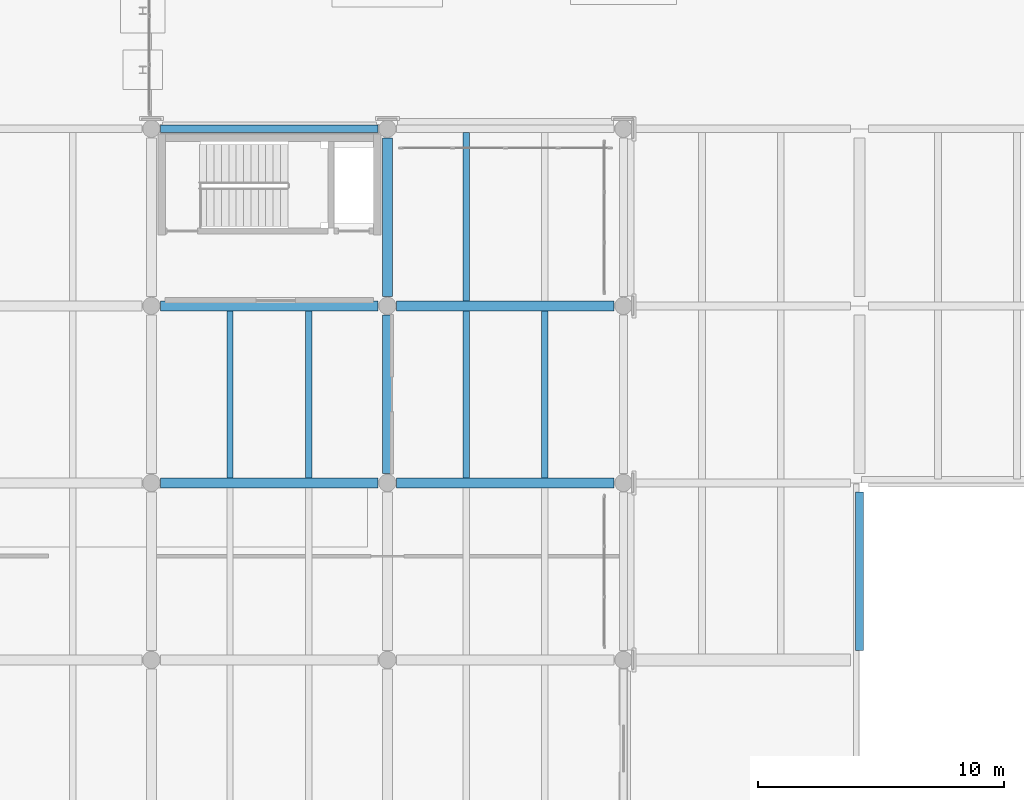
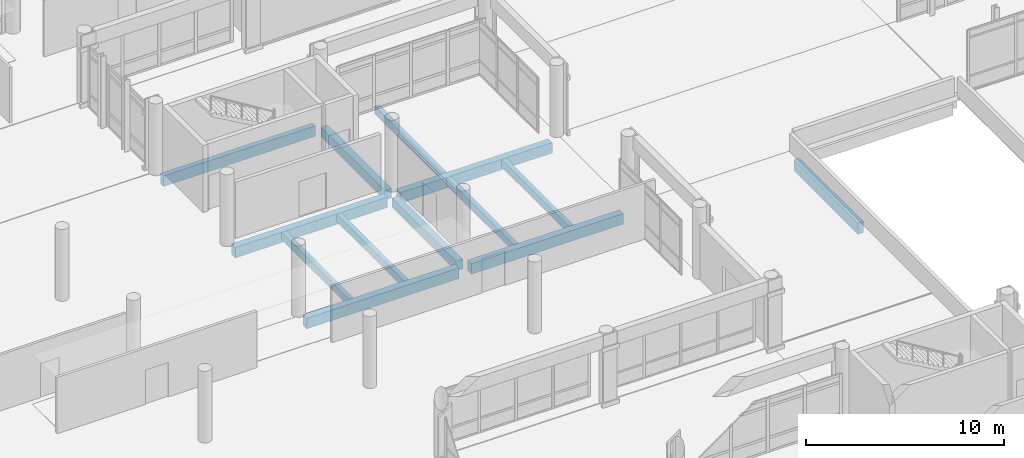
# One storey, part 62 of 196: 13 beams.
"""IFC4 building model written with IfcOpenShell, lengths in metres."""

from ifc_helpers import new_model, si_unit, direction, frame, origin, origin_2d, place, context, subcontext, project, spatial, rectangle, extrude, material, material_profile, profile_set, type_object, element, save


model = new_model("IFC4")

# Units and contexts
model_context = context("Model", 3, precision=1e-05, world=origin(), true_north=direction((0.0, 1.0)))
body_context = subcontext(model_context, "Body", "Model", "MODEL_VIEW")
ifc_project = project(units=[si_unit("LENGTHUNIT", "METRE"), si_unit("AREAUNIT", "SQUARE_METRE"), si_unit("VOLUMEUNIT", "CUBIC_METRE"), si_unit("PLANEANGLEUNIT", "RADIAN"), si_unit("MASSUNIT", "GRAM", prefix="KILO")], contexts=[model_context])

# Site, building, storey
site_placement = place(None, origin())
site = spatial("IfcSite", under=ifc_project, at=site_placement, CompositionType="ELEMENT")
building_placement = place(site_placement, origin())
building = spatial("IfcBuilding", under=site, at=building_placement, Name="Asteropetra Specialist Clinic", CompositionType="ELEMENT")
storey_placement = place(building_placement, origin())
storey = spatial("IfcBuildingStorey", under=building, at=storey_placement, Name="L00", CompositionType="ELEMENT", Elevation=0.0)

# Beams
ifc_material_1 = material(Name="Concrete C35/45", Category="concrete")
ifc_material_profile_1 = material_profile(ifc_material_1, rectangle(XDim=0.39990234375, YDim=0.60009765625, at=origin_2d()), Name="RCB 400x600")
ifc_profile_set_1 = profile_set([ifc_material_profile_1], Name="Concrete C35/45")
beam_type_1 = type_object("IfcBeamType", Name="BM-RC400x600", PredefinedType="BEAM", material=ifc_profile_set_1)
for number, where, z_axis, x_axis, name in (
    (1, (38.39990234375, 48.375, -0.60009765625), (0.0, 1.0, 0.0), (-1.0, 0.0, 0.0), "Beam BBM08-0191"),
    (2, (38.39990234375, 55.574951171875, -0.60009765625), (0.0, 1.0, 0.0), (-1.0, 0.0, 0.0), "Beam BBM08-0206"),
):
    element("IfcBeam", number, at=place(storey_placement, frame(where, z_axis=z_axis, x_axis=x_axis)), inside=storey, type_object=beam_type_1, Name=name, PredefinedType="BEAM", context=body_context, shape_type="SweptSolid", body=[
        extrude(rectangle(XDim=0.39990234375, YDim=0.60009765625, at=origin_2d()), origin(), (0.0, 0.0, 1.0), 6.449951171875),
    ])
ifc_material_2 = material(Name="Concrete C35/45", Category="concrete")
ifc_material_profile_2 = material_profile(ifc_material_2, rectangle(XDim=0.39990234375, YDim=0.64990234375, at=origin_2d()), Name="RCB 400x650")
ifc_profile_set_2 = profile_set([ifc_material_profile_2], Name="Concrete C35/45")
beam_type_2 = type_object("IfcBeamType", Name="BM-RC400x650", PredefinedType="BEAM", material=ifc_profile_set_2)
beam_1_placement = place(storey_placement, frame((29.175048828125, 48.0, -0.625), z_axis=(1.0, 0.0, 0.0), x_axis=(0.0, 1.0, 0.0)))
element("IfcBeam", 3, at=beam_1_placement, inside=storey, type_object=beam_type_2, Name="Beam BBM07-0146", PredefinedType="BEAM", context=body_context, shape_type="SweptSolid", body=[
    extrude(rectangle(XDim=0.39990234375, YDim=0.64990234375, at=origin_2d()), origin(), (0.0, 0.0, 1.0), 8.849853515625),
])
beam_2_placement = place(storey_placement, frame((38.77490234375, 48.0, -0.625), z_axis=(1.0, 0.0, 0.0), x_axis=(0.0, 1.0, 0.0)))
element("IfcBeam", 4, at=beam_2_placement, inside=storey, type_object=beam_type_2, Name="Beam BBM07-0147", PredefinedType="BEAM", context=body_context, shape_type="SweptSolid", body=[
    extrude(rectangle(XDim=0.39990234375, YDim=0.64990234375, at=origin_2d()), origin(), (0.0, 0.0, 1.0), 8.85009765625),
])
beam_3_placement = place(storey_placement, frame((29.175048828125, 55.199951171875, -0.625), z_axis=(1.0, 0.0, 0.0), x_axis=(0.0, 1.0, 0.0)))
element("IfcBeam", 5, at=beam_3_placement, inside=storey, type_object=beam_type_2, Name="Beam BBM07-0151", PredefinedType="BEAM", context=body_context, shape_type="SweptSolid", body=[
    extrude(rectangle(XDim=0.39990234375, YDim=0.64990234375, at=origin_2d()), origin(), (0.0, 0.0, 1.0), 8.849853515625),
])
beam_4_placement = place(storey_placement, frame((38.77490234375, 55.199951171875, -0.625), z_axis=(1.0, 0.0, 0.0), x_axis=(0.0, 1.0, 0.0)))
element("IfcBeam", 6, at=beam_4_placement, inside=storey, type_object=beam_type_2, Name="Beam BBM07-0152", PredefinedType="BEAM", context=body_context, shape_type="SweptSolid", body=[
    extrude(rectangle(XDim=0.39990234375, YDim=0.64990234375, at=origin_2d()), origin(), (0.0, 0.0, 1.0), 8.85009765625),
])
ifc_material_3 = material(Name="Concrete C35/45", Category="concrete")
ifc_material_profile_3 = material_profile(ifc_material_3, rectangle(XDim=0.260009765625, YDim=0.47998046875, at=origin_2d()), Name="RCJ 260x480")
ifc_profile_set_3 = profile_set([ifc_material_profile_3], Name="Concrete C35/45")
beam_type_3 = type_object("IfcBeamType", Name="JST-RC260x480", PredefinedType="JOIST", material=ifc_profile_set_3)
for number, where, z_axis, x_axis, name in (
    (7, (32.0, 48.199951171875, -0.5400390625), (0.0, 1.0, 0.0), (-1.0, 0.0, 0.0), "Joist JJST02-0198"),
    (8, (35.199951171875, 48.199951171875, -0.5400390625), (0.0, 1.0, 0.0), (-1.0, 0.0, 0.0), "Joist JJST02-0199"),
    (9, (41.60009765625, 48.199951171875, -0.5400390625), (0.0, 1.0, 0.0), (-1.0, 0.0, 0.0), "Joist JJST02-0200"),
    (10, (44.800048828125, 48.199951171875, -0.5400390625), (0.0, 1.0, 0.0), (-1.0, 0.0, 0.0), "Joist JJST02-0201"),
):
    element("IfcBeam", number, at=place(storey_placement, frame(where, z_axis=z_axis, x_axis=x_axis)), inside=storey, type_object=beam_type_3, Name=name, PredefinedType="JOIST", context=body_context, shape_type="SweptSolid", body=[
        extrude(rectangle(XDim=0.260009765625, YDim=0.47998046875, at=origin_2d()), origin(), (0.0, 0.0, 1.0), 6.800048828125),
    ])
beam_5_placement = place(storey_placement, frame((41.60009765625, 55.39990234375, -0.5400390625), z_axis=(0.0, 1.0, 0.0), x_axis=(-1.0, 0.0, 0.0)))
element("IfcBeam", 11, at=beam_5_placement, inside=storey, type_object=beam_type_3, Name="Joist JJST02-0213", PredefinedType="JOIST", context=body_context, shape_type="SweptSolid", body=[
    extrude(rectangle(XDim=0.260009765625, YDim=0.47998046875, at=origin_2d()), origin(), (0.0, 0.0, 1.0), 6.85009765625),
])
ifc_material_4 = material(Name="Concrete C35/45", Category="concrete")
ifc_material_profile_4 = material_profile(ifc_material_4, rectangle(XDim=0.300048828125, YDim=0.64990234375, at=origin_2d()), Name="RCS 300x650")
ifc_profile_set_4 = profile_set([ifc_material_profile_4], Name="Concrete C35/45")
beam_type_4 = type_object("IfcBeamType", Name="SPN-RC300x650", PredefinedType="SPANDREL", material=ifc_profile_set_4)
beam_6_placement = place(storey_placement, frame((29.175048828125, 62.39990234375, -0.625), z_axis=(1.0, 0.0, 0.0), x_axis=(0.0, 1.0, 0.0)))
element("IfcBeam", 12, at=beam_6_placement, inside=storey, type_object=beam_type_4, Name="Beam BSPN03-0156", PredefinedType="SPANDREL", context=body_context, shape_type="SweptSolid", body=[
    extrude(rectangle(XDim=0.300048828125, YDim=0.64990234375, at=origin_2d()), origin(), (0.0, 0.0, 1.0), 8.849853515625),
])
ifc_material_5 = material(Name="Concrete C35/45", Category="concrete")
ifc_material_profile_5 = material_profile(ifc_material_5, rectangle(XDim=0.320068359375, YDim=0.699951171875, at=origin_2d()), Name="RCS 320x700")
ifc_profile_set_5 = profile_set([ifc_material_profile_5], Name="Concrete C35/45")
beam_type_5 = type_object("IfcBeamType", Name="SPN-RC320x700", PredefinedType="SPANDREL", material=ifc_profile_set_5)
beam_7_placement = place(storey_placement, frame((57.60009765625, 41.175048828125, -0.659912109375), z_axis=(0.0, 1.0, 0.0), x_axis=(-1.0, 0.0, 0.0)))
element("IfcBeam", 13, at=beam_7_placement, inside=storey, type_object=beam_type_5, Name="Beam BSPN02-0111", PredefinedType="SPANDREL", context=body_context, shape_type="SweptSolid", body=[
    extrude(rectangle(XDim=0.320068359375, YDim=0.699951171875, at=origin_2d()), origin(), (0.0, 0.0, 1.0), 6.449951171875),
])

save(model, "model.ifc")
